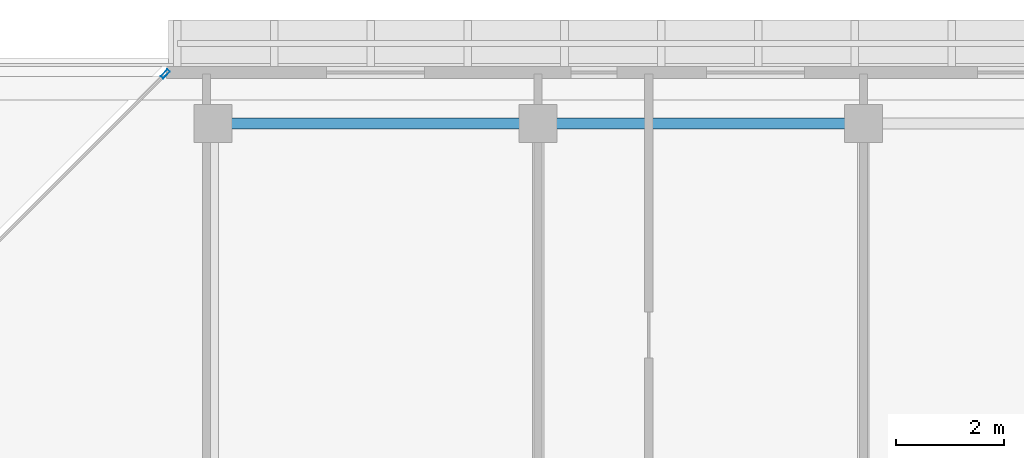
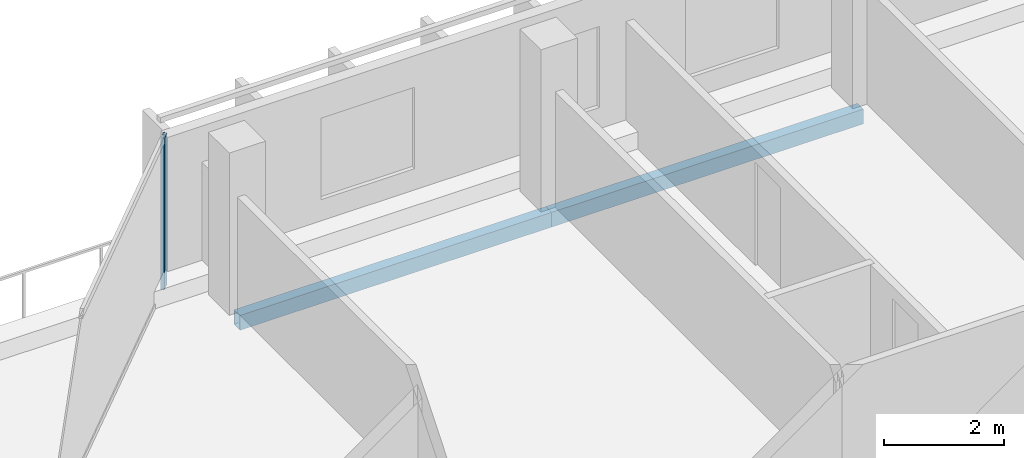
# One storey, part 14 of 30: 2 beams, 1 member, 1 element without a shape of its own.
"""IFC4 building model written with IfcOpenShell, lengths in metres."""

from ifc_helpers import new_model, si_unit, direction, frame, origin, origin_2d, place, context, subcontext, project, spatial, hollow_rectangle, extrude, material, layer, layer_set, material_profile, profile_set, type_object, element, aggregate, save


model = new_model("IFC4")

# Units and contexts
model_context = context("Model", 3, precision=1e-05, world=origin(), true_north=direction((0.0, 1.0)))
body_context = subcontext(model_context, "Body", "Model", "MODEL_VIEW")
ifc_project = project(units=[si_unit("LENGTHUNIT", "METRE"), si_unit("AREAUNIT", "SQUARE_METRE"), si_unit("VOLUMEUNIT", "CUBIC_METRE"), si_unit("PLANEANGLEUNIT", "RADIAN"), si_unit("MASSUNIT", "GRAM", prefix="KILO")], contexts=[model_context])

# Site, building, storey
site_placement = place(None, origin())
site = spatial("IfcSite", under=ifc_project, at=site_placement, CompositionType="ELEMENT")
building_placement = place(site_placement, origin())
building = spatial("IfcBuilding", under=site, at=building_placement, Name="Tanjung Sevakor Pilgrim Tower", CompositionType="ELEMENT")
storey_placement = place(building_placement, frame((0.0, 0.0, 229.35009765625)))
storey = spatial("IfcBuildingStorey", under=building, at=storey_placement, Name="L64", CompositionType="ELEMENT", Elevation=229.35009765625)

# Beams
ifc_material_1 = material(Name="Steel S355J2", Category="steel")
ifc_material_profile_1 = material_profile(ifc_material_1, hollow_rectangle(XDim=0.199951171875, YDim=0.300048828125, WallThickness=0.012451171875, at=origin_2d()))
ifc_profile_set_1 = profile_set([ifc_material_profile_1], Name="Steel S355J2")
beam_type = type_object("IfcBeamType", Name="BM-B-SP3-RHS_300x200x12.5", PredefinedType="SPANDREL", material=ifc_profile_set_1)
for number, where, z_axis, x_axis, name in (
    (1, (72.0, 53.949951171875, -0.43017578125), (1.0, 0.0, 0.0), (0.0, 1.0, 0.0), "L64 Spandrel EAST N-02"),
    (2, (78.0, 53.949951171875, -0.43017578125), (1.0, 0.0, 0.0), (0.0, 1.0, 0.0), "L64 Spandrel EAST N-04"),
):
    element("IfcBeam", number, at=place(storey_placement, frame(where, z_axis=z_axis, x_axis=x_axis)), inside=storey, type_object=beam_type, Name=name, PredefinedType="SPANDREL", context=body_context, shape_type="SweptSolid", body=[
        extrude(hollow_rectangle(XDim=0.199951171875, YDim=0.300048828125, WallThickness=0.012451171875, at=origin_2d()), origin(), (0.0, 0.0, 1.0), 6.0),
    ])

# Curtain wall, member
ifc_material_2 = material(Name="Aluminium 6063-T6 and Low-E Glass", Category="aluminium")
ifc_layer = layer(ifc_material_2, 0.179931640625)
ifc_layer_set = layer_set([ifc_layer], Name="CW-SYS-CHAM")
curtain_wall_type = type_object("IfcCurtainWallType", Name="CW-SYS-CHAM", PredefinedType="NOTDEFINED", material=ifc_layer_set)
curtain_wall_placement = place(storey_placement, origin())
curtain_wall = element("IfcCurtainWall", 3, at=curtain_wall_placement, inside=storey, type_object=curtain_wall_type, Name="L64 Curtain Wall CW-CHM-L64-EAST-5", PredefinedType="NOTDEFINED")
ifc_material_3 = material(Name="Aluminium 6063-T6", Category="aluminium")
ifc_material_profile_2 = material_profile(ifc_material_3, hollow_rectangle(XDim=0.06494140625, YDim=0.179931640625, WallThickness=0.00390625, at=origin_2d()))
ifc_profile_set_2 = profile_set([ifc_material_profile_2], Name="Aluminium 6063-T6")
member_type = type_object("IfcMemberType", Name="TYPE-CWM-1", PredefinedType="MULLION", material=ifc_profile_set_2)
member_placement = place(storey_placement, frame((71.12255859375, 54.866943359375, 0.0), z_axis=(0.0, 0.0, 1.0), x_axis=(0.707106781187, -0.707106781187, 0.0)))
member = element("IfcMember", 4, at=member_placement, type_object=member_type, Name="CW-CHM mullion 1", PredefinedType="MULLION", context=body_context, shape_type="SweptSolid", body=[
    extrude(hollow_rectangle(XDim=0.06494140625, YDim=0.179931640625, WallThickness=0.00390625, at=origin_2d()), origin(), (0.0, 0.0, 1.0), 3.079833984375),
])
aggregate(curtain_wall, [member])

save(model, "model.ifc")
